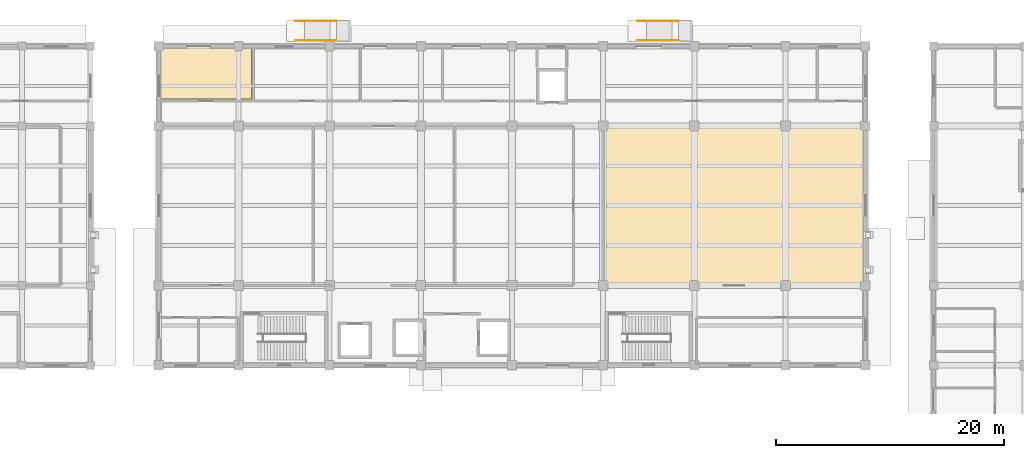
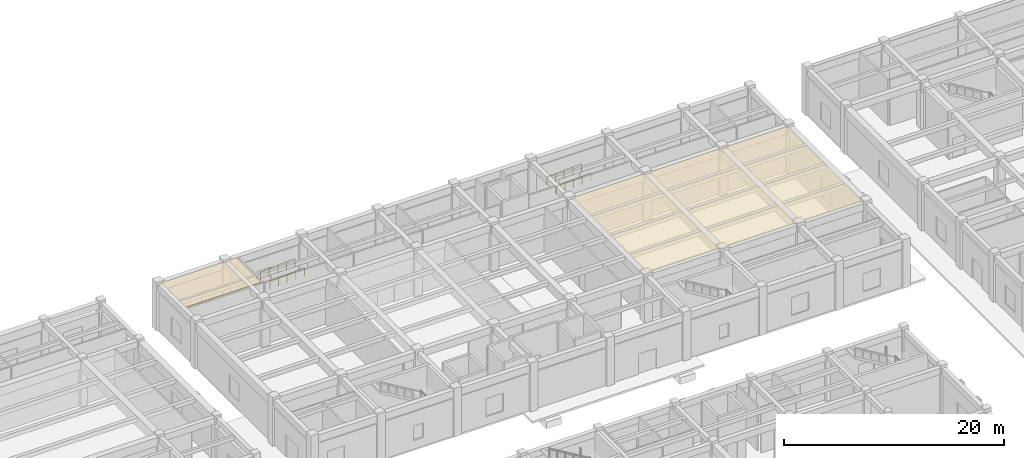
# One storey, part 39 of 40: 4 railings, 2 coverings.
"""IFC4 building model written with IfcOpenShell, lengths in metres."""

from ifc_helpers import new_model, si_unit, direction, frame, origin, origin_2d, place, context, subcontext, project, spatial, polyline, circle, outline, extrude, material, layer, layer_set, type_object, element, save


model = new_model("IFC4")

# Units and contexts
model_context = context("Model", 3, precision=1e-05, world=origin(), true_north=direction((0.0, 1.0)))
body_context = subcontext(model_context, "Body", "Model", "MODEL_VIEW")
ifc_project = project(units=[si_unit("LENGTHUNIT", "METRE"), si_unit("AREAUNIT", "SQUARE_METRE"), si_unit("VOLUMEUNIT", "CUBIC_METRE"), si_unit("PLANEANGLEUNIT", "RADIAN"), si_unit("MASSUNIT", "GRAM", prefix="KILO")], contexts=[model_context])

# Site, building, storey
site_placement = place(None, origin())
site = spatial("IfcSite", under=ifc_project, at=site_placement, CompositionType="ELEMENT")
building_placement = place(site_placement, origin())
building = spatial("IfcBuilding", under=site, at=building_placement, Name="Naurynzar Civic Courthouse", CompositionType="ELEMENT")
storey_placement = place(building_placement, origin())
storey = spatial("IfcBuildingStorey", under=building, at=storey_placement, Name="L01", CompositionType="ELEMENT", Elevation=0.0)

# Coverings
ifc_material_1 = material(Name="Acoustic Oak Timber Grade A", Category="wood")
ifc_layer_1 = layer(ifc_material_1, 0.044921875)
ifc_layer_set_1 = layer_set([ifc_layer_1], Name="CEIL-ACOUSTIC-OAK-45")
covering_type_1 = type_object("IfcCoveringType", Name="CEIL-ACOUSTIC-OAK-45", PredefinedType="CEILING", material=ifc_layer_set_1)
covering_1_placement = place(storey_placement, frame((0.0, 0.0, 5.014892578125)))
element("IfcCovering", 1, at=covering_1_placement, inside=storey, type_object=covering_type_1, Name="Acoustic suspended ceiling Civil Chamber Courtroom L01-E", PredefinedType="CEILING", context=body_context, shape_type="SweptSolid", body=[
    extrude(outline(polyline([(123.840087890625, 51.159912109375), (101.159912109375, 51.159912109375), (101.159912109375, 64.840087890625), (123.840087890625, 64.840087890625), (123.840087890625, 51.159912109375)])), origin(), (0.0, 0.0, 1.0), 0.045166015625),
])
ifc_material_2 = material(Name="Mineral Fibre Acoustic Ceiling")
ifc_layer_2 = layer(ifc_material_2, 0.030029296875)
ifc_layer_set_2 = layer_set([ifc_layer_2], Name="CEIL-MINERAL-30")
covering_type_2 = type_object("IfcCoveringType", Name="CEIL-MINERAL-30", PredefinedType="CEILING", material=ifc_layer_set_2)
covering_2_placement = place(storey_placement, frame((0.0, 0.0, 5.014892578125)))
element("IfcCovering", 2, at=covering_2_placement, inside=storey, type_object=covering_type_2, Name="Acoustic suspended ceiling Jury Room L01-N", PredefinedType="CEILING", context=body_context, shape_type="SweptSolid", body=[
    extrude(outline(polyline([(70.139892578125, 67.360107421875), (62.159912109375, 67.360107421875), (62.159912109375, 71.840087890625), (70.139892578125, 71.840087890625), (70.139892578125, 67.360107421875)])), origin(), (0.0, 0.0, 1.0), 0.030029296875),
])

# Railings
ifc_material_3 = material(Name="Brushed Stainless Steel 304", Category="steel")
railing_type = type_object("IfcRailingType", Name="RAIL-HR-900", PredefinedType="HANDRAIL", material=ifc_material_3)
for number, where, name in (
    (3, (74.0, 72.5, -0.179931640625), "Accessible ramp handrail RMP-03.1"),
    (4, (74.0, 74.199951171875, -0.179931640625), "Accessible ramp handrail RMP-03.2"),
    (5, (104.0, 72.5, -0.179931640625), "Accessible ramp handrail RMP-04.1"),
    (6, (104.0, 74.199951171875, -0.179931640625), "Accessible ramp handrail RMP-04.2"),
):
    element("IfcRailing", number, at=place(storey_placement, frame(where)), inside=storey, type_object=railing_type, Name=name, PredefinedType="HANDRAIL", context=body_context, shape_type="SweptSolid", body=[
        extrude(circle(Radius=0.02392578125, at=origin_2d()), frame((0.0, 0.0, 0.8759765625), z_axis=(0.998753352096, 0.0, 0.049917348467), x_axis=(0.0, 1.0, 0.0)), (0.0, 0.0, 1.0), 3.6044921875),
        extrude(circle(Radius=0.02099609375, at=origin_2d()), origin(), (0.0, 0.0, 1.0), 0.851806640625),
        extrude(circle(Radius=0.02099609375, at=origin_2d()), frame((0.89990234375, 0.0, 0.044921875)), (0.0, 0.0, 1.0), 0.851806640625),
        extrude(circle(Radius=0.02099609375, at=origin_2d()), frame((1.800048828125, 0.0, 0.08984375)), (0.0, 0.0, 1.0), 0.851806640625),
        extrude(circle(Radius=0.02099609375, at=origin_2d()), frame((2.7001953125, 0.0, 0.135009765625)), (0.0, 0.0, 1.0), 0.851806640625),
        extrude(circle(Radius=0.02099609375, at=origin_2d()), frame((3.60009765625, 0.0, 0.179931640625)), (0.0, 0.0, 1.0), 0.851806640625),
    ])

save(model, "model.ifc")
